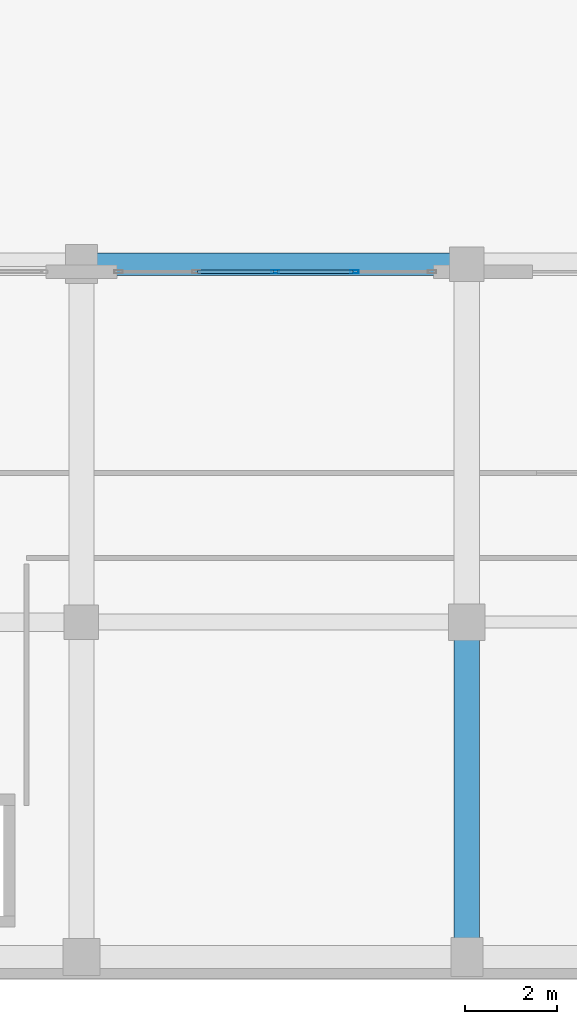
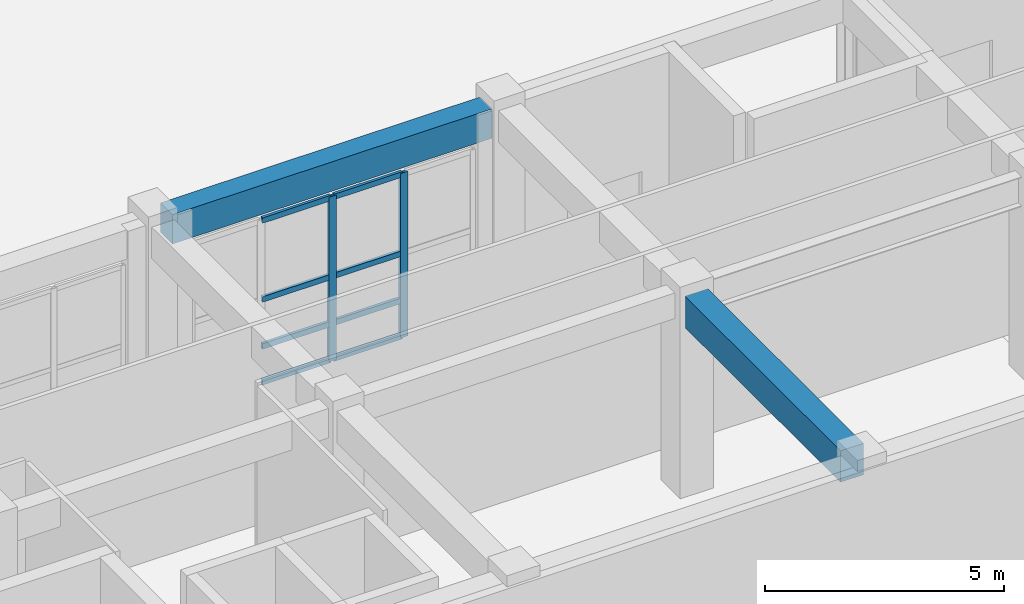
# One storey, part 23 of 148: 10 members, 2 beams, 1 element without a shape of its own.
"""IFC4 building model written with IfcOpenShell, lengths in metres."""

import ifcopenshell
import ifcopenshell.guid

model = None  # the IFC model being written
_history = None  # IfcOwnerHistory: only IFC2X3 demands one
_inside = {}  # id of a spatial element -> (the spatial element, [elements in it])
_under = {}  # id of a project, library or spatial element -> (it, [spatial elements below it])
_declared = {}  # id of a project -> (the project, [libraries it declares])
_typed = {}  # id of a type object -> (the type object, [elements of that type])
_made_of = {}  # id of a material, layer set ... -> (it, [elements and type objects made of it])


def new_model(schema):
    """Start an empty IFC model of exactly this schema.

    Asked for "IFC4X3", IfcOpenShell would pick the latest addendum, in which some entities
    have other attributes; the version numbers below select the first issue.
    IFC2X3 requires an IfcOwnerHistory on every rooted entity: one is made here for all.
    """
    global model, _history
    if schema == "IFC4X3":
        model = ifcopenshell.file(schema_version=(4, 3, 0, 0))
    else:
        model = ifcopenshell.file(schema=schema)
    _inside.clear()
    _under.clear()
    _declared.clear()
    _typed.clear()
    _made_of.clear()
    _history = None
    if model.schema == "IFC2X3":
        org = make("IfcOrganization", Name="unknown")
        user = make(
            "IfcPersonAndOrganization",
            ThePerson=make("IfcPerson", FamilyName="unknown"),
            TheOrganization=org,
        )
        app = make(
            "IfcApplication",
            ApplicationDeveloper=org,
            Version="unknown",
            ApplicationFullName="unknown",
            ApplicationIdentifier="unknown",
        )
        _history = make(
            "IfcOwnerHistory",
            OwningUser=user,
            OwningApplication=app,
            ChangeAction="ADDED",
            CreationDate=0,
        )
    return model


def make(cls, **values):
    """One entity of the class cls with the attributes given. An attribute that is None is left unset."""
    return model.create_entity(
        cls, **{name: value for name, value in values.items() if value is not None}
    )


def rooted(cls, **values):
    """An entity with a GlobalId (a new one), such as an element, a storey or a relation."""
    return make(cls, GlobalId=ifcopenshell.guid.new(), OwnerHistory=_history, **values)


def si_unit(unit_type, name, prefix=None):
    """IfcSIUnit, for example si_unit("LENGTHUNIT", "METRE", prefix="MILLI")."""
    return make("IfcSIUnit", UnitType=unit_type, Prefix=prefix, Name=name)


def assignment(units):
    """IfcUnitAssignment: the units of a project."""
    return None if units is None else make("IfcUnitAssignment", Units=units)


def point(xyz):
    """IfcCartesianPoint."""
    return None if xyz is None else make("IfcCartesianPoint", Coordinates=xyz)


def direction(xyz):
    """IfcDirection."""
    return None if xyz is None else make("IfcDirection", DirectionRatios=xyz)


def frame(location, z_axis=None, x_axis=None):
    """IfcAxis2Placement3D, a coordinate frame: its origin and axes. An axis left out is left unset."""
    return make(
        "IfcAxis2Placement3D",
        Location=point(location),
        Axis=direction(z_axis),
        RefDirection=direction(x_axis),
    )


def frame_2d(location, x_axis=None):
    """IfcAxis2Placement2D, a coordinate frame in the plane: its origin and x axis."""
    return make(
        "IfcAxis2Placement2D", Location=point(location), RefDirection=direction(x_axis)
    )


def origin():
    """The frame at (0, 0, 0) with its axes left unset."""
    return frame((0.0, 0.0, 0.0))


def origin_2d():
    """The frame at (0, 0) in the plane with its x axis left unset."""
    return frame_2d((0.0, 0.0))


def place(relative_to, where):
    """IfcLocalPlacement: puts the frame where relative to a parent placement (None: the world)."""
    return make(
        "IfcLocalPlacement", PlacementRelTo=relative_to, RelativePlacement=where
    )


def context(
    kind, dimensions, precision=None, world=None, true_north=None, identifier=None
):
    """IfcGeometricRepresentationContext, for example the 3D "Model" context."""
    return make(
        "IfcGeometricRepresentationContext",
        ContextIdentifier=identifier,
        ContextType=kind,
        CoordinateSpaceDimension=dimensions,
        Precision=precision,
        WorldCoordinateSystem=world,
        TrueNorth=true_north,
    )


def subcontext(parent, identifier, kind, view, scale=None):
    """IfcGeometricRepresentationSubContext, for example "Body" below "Model"."""
    return make(
        "IfcGeometricRepresentationSubContext",
        ContextIdentifier=identifier,
        ContextType=kind,
        ParentContext=parent,
        TargetScale=scale,
        TargetView=view,
    )


def project(units=None, contexts=None):
    """IfcProject with its units and contexts."""
    return rooted(
        "IfcProject",
        Name="project",
        RepresentationContexts=contexts,
        UnitsInContext=assignment(units),
    )


def spatial(cls, under=None, at=None, **own):
    """A site, building, storey or space (cls), placed at a placement, below another one or the project."""
    s = rooted(cls, ObjectPlacement=at, **own)
    if under is not None:
        _under.setdefault(under.id(), (under, []))[1].append(s)
    return s


def profile(cls, at=None, kind="AREA", **sizes):
    """A parametric profile (cls). Its sizes go by their IFC names, for example OverallWidth=200.0."""
    return make(cls, ProfileType=kind, Position=at, **sizes)


def rectangle(**sizes):
    """IfcRectangleProfileDef."""
    return profile("IfcRectangleProfileDef", **sizes)


def hollow_rectangle(**sizes):
    """IfcRectangleHollowProfileDef."""
    return profile("IfcRectangleHollowProfileDef", **sizes)


def extrude(swept, where, along, depth):
    """IfcExtrudedAreaSolid: the profile swept, set in the frame where, extruded along a direction by depth."""
    return make(
        "IfcExtrudedAreaSolid",
        SweptArea=swept,
        Position=where,
        ExtrudedDirection=direction(along),
        Depth=depth,
    )


def shape(context_of_items, identifier, shape_type, items):
    """IfcShapeRepresentation: the items that make up one representation, for example the "Body"."""
    return make(
        "IfcShapeRepresentation",
        ContextOfItems=context_of_items,
        RepresentationIdentifier=identifier,
        RepresentationType=shape_type,
        Items=items,
    )


def material(Name=None, Category=None):
    """IfcMaterial."""
    return make("IfcMaterial", Name=Name, Category=Category)


def layer(
    of_material, thickness, ventilated=None, Name=None, Category=None, Priority=None
):
    """IfcMaterialLayer: one layer of a wall or slab, of a material (None: an air gap)."""
    return make(
        "IfcMaterialLayer",
        Material=of_material,
        LayerThickness=thickness,
        IsVentilated=ventilated,
        Name=Name,
        Category=Category,
        Priority=Priority,
    )


def layer_set(layers, Name=None):
    """IfcMaterialLayerSet."""
    return make("IfcMaterialLayerSet", MaterialLayers=layers, LayerSetName=Name)


def material_profile(
    of_material, cross_section, Name=None, Category=None, Priority=None
):
    """IfcMaterialProfile: a cross section and its material."""
    return make(
        "IfcMaterialProfile",
        Name=Name,
        Material=of_material,
        Profile=cross_section,
        Priority=Priority,
        Category=Category,
    )


def profile_set(profiles, Name=None, composite=None):
    """IfcMaterialProfileSet."""
    return make(
        "IfcMaterialProfileSet",
        Name=Name,
        MaterialProfiles=profiles,
        CompositeProfile=composite,
    )


def made_of(thing, what):
    """Note that an element or type object is made of a material, layer set ...; save() writes the relation."""
    if what is not None:
        _made_of.setdefault(what.id(), (what, []))[1].append(thing)
    return thing


def type_object(cls, material=None, **own):
    """A type object (cls), such as IfcWallType, which elements share."""
    return made_of(rooted(cls, **own), material)


def element(
    cls,
    number,
    at=None,
    inside=None,
    cuts=None,
    type_object=None,
    material=None,
    context=None,
    identifier="Body",
    shape_type=None,
    held_by="IfcProductDefinitionShape",
    body=None,
    shapes=None,
    **own,
):
    """One element of the class cls, such as IfcWall. Its Tag is "e" and its number.

    at: its placement. inside: the storey or other place that contains it. cuts: it is an
    opening in that element (IfcRelVoidsElement). A single representation is given by context,
    identifier, shape_type and body (its items); several are given by shapes. held_by: the class
    of the entity that holds the representations. save() writes the other relations.
    """
    e = rooted(cls, Tag="e%d" % number, ObjectPlacement=at, **own)
    if body is not None:
        shapes = [shape(context, identifier, shape_type, body)]
    if shapes is not None:
        e.Representation = make(held_by, Representations=shapes)
    if inside is not None:
        _inside.setdefault(inside.id(), (inside, []))[1].append(e)
    if cuts is not None:
        rooted(
            "IfcRelVoidsElement", RelatingBuildingElement=cuts, RelatedOpeningElement=e
        )
    if type_object is not None:
        _typed.setdefault(type_object.id(), (type_object, []))[1].append(e)
    return made_of(e, material)


def aggregate(whole, parts):
    """IfcRelAggregates: a whole, such as a stair, and the parts it consists of."""
    return rooted("IfcRelAggregates", RelatingObject=whole, RelatedObjects=parts)


def save(model, path):
    """Write the relations noted so far, then the file.

    IfcRelAggregates (storeys below a building ...), IfcRelContainedInSpatialStructure (elements
    in a storey), IfcRelDefinesByType, IfcRelAssociatesMaterial and IfcRelDeclares: one each for
    every whole, place, type object, material and project.
    """
    for whole, parts in _under.values():
        aggregate(whole, parts)
    for where, things in _inside.values():
        rooted(
            "IfcRelContainedInSpatialStructure",
            RelatedElements=things,
            RelatingStructure=where,
        )
    for kind, things in _typed.values():
        rooted("IfcRelDefinesByType", RelatedObjects=things, RelatingType=kind)
    for what, things in _made_of.values():
        rooted("IfcRelAssociatesMaterial", RelatedObjects=things, RelatingMaterial=what)
    for by, libraries in _declared.values():
        rooted("IfcRelDeclares", RelatingContext=by, RelatedDefinitions=libraries)
    model.write(path)


model = new_model("IFC4")

# Units and contexts
model_context = context("Model", 3, precision=1e-05, world=origin(), true_north=direction((0.0, 1.0)))
body_context = subcontext(model_context, "Body", "Model", "MODEL_VIEW")
ifc_project = project(units=[si_unit("LENGTHUNIT", "METRE"), si_unit("AREAUNIT", "SQUARE_METRE"), si_unit("VOLUMEUNIT", "CUBIC_METRE"), si_unit("PLANEANGLEUNIT", "RADIAN"), si_unit("MASSUNIT", "GRAM", prefix="KILO")], contexts=[model_context])

# Site, building, storey
site_placement = place(None, origin())
site = spatial("IfcSite", under=ifc_project, at=site_placement, CompositionType="ELEMENT")
building_placement = place(site_placement, origin())
building = spatial("IfcBuilding", under=site, at=building_placement, Name="Quendrovan Civic Courthouse", CompositionType="ELEMENT")
storey_placement = place(building_placement, origin())
storey = spatial("IfcBuildingStorey", under=building, at=storey_placement, Name="L01", CompositionType="ELEMENT", Elevation=0.0)

# Beams
ifc_material_1 = material(Name="Concrete C40/50", Category="concrete")
ifc_material_profile_1 = material_profile(ifc_material_1, rectangle(XDim=0.5, YDim=0.75, at=origin_2d()), Name="RC-BM-500x750")
ifc_profile_set_1 = profile_set([ifc_material_profile_1], Name="Concrete C40/50")
beam_type_1 = type_object("IfcBeamType", Name="BM-RC750", PredefinedType="SPANDREL", material=ifc_profile_set_1)
beam_1_placement = place(storey_placement, frame((42.330078125, 15.60009765625, 4.7451171875), z_axis=(1.0, 0.0, 0.0), x_axis=(0.0, 1.0, 0.0)))
element("IfcBeam", 1, at=beam_1_placement, inside=storey, type_object=beam_type_1, Name="L01 Girder X0270", PredefinedType="SPANDREL", context=body_context, shape_type="SweptSolid", body=[
    extrude(rectangle(XDim=0.5, YDim=0.75, at=origin_2d()), origin(), (0.0, 0.0, 1.0), 7.71484375),
])
ifc_material_profile_2 = material_profile(ifc_material_1, rectangle(XDim=0.550048828125, YDim=0.800048828125, at=origin_2d()), Name="RC-BM-550x800")
ifc_profile_set_2 = profile_set([ifc_material_profile_2], Name="Concrete C40/50")
beam_type_2 = type_object("IfcBeamType", Name="BM-RC800", PredefinedType="BEAM", material=ifc_profile_set_2)
beam_2_placement = place(storey_placement, frame((50.39990234375, 0.905029296875, 4.719970703125), z_axis=(0.0, 1.0, 0.0), x_axis=(-1.0, 0.0, 0.0)))
element("IfcBeam", 2, at=beam_2_placement, inside=storey, type_object=beam_type_2, Name="L01 Girder Y0415", PredefinedType="BEAM", context=body_context, shape_type="SweptSolid", body=[
    extrude(rectangle(XDim=0.550048828125, YDim=0.800048828125, at=origin_2d()), origin(), (0.0, 0.0, 1.0), 6.514892578125),
])

# Curtain wall, members
ifc_material_2 = material(Name="Bronze anodised aluminium and low-E glass", Category="aluminium")
ifc_layer = layer(ifc_material_2, 0.179931640625, Name="Bronze anodised aluminium and low-E glass")
ifc_layer_set = layer_set([ifc_layer], Name="Bronze anodised aluminium and low-E glass")
curtain_wall_type = type_object("IfcCurtainWallType", Name="CW-U69x42", PredefinedType="USERDEFINED", material=ifc_layer_set)
curtain_wall_placement = place(storey_placement, origin())
curtain_wall = element("IfcCurtainWall", 3, at=curtain_wall_placement, inside=storey, type_object=curtain_wall_type, Name="L01 Unitised Hurricane Curtain Wall CW-008", ObjectType="UNITISED CURTAIN WALL", PredefinedType="USERDEFINED")
ifc_material_3 = material(Name="Bronze anodised aluminium", Category="aluminium")
ifc_material_profile_3 = material_profile(ifc_material_3, hollow_rectangle(XDim=0.070068359375, YDim=0.179931640625, WallThickness=0.00390625, at=origin_2d()), Name="CW-MULL-70x180")
ifc_profile_set_3 = profile_set([ifc_material_profile_3], Name="Bronze anodised aluminium")
member_type_1 = type_object("IfcMemberType", Name="CW-MULL-A", PredefinedType="MULLION", material=ifc_profile_set_3)
member_1_placement = place(storey_placement, frame((46.22509765625, 15.43505859375, 0.0), z_axis=(0.0, 0.0, 1.0), x_axis=(0.0, 1.0, 0.0)))
member_1 = element("IfcMember", 4, at=member_1_placement, type_object=member_type_1, Name="CW-008 mullion 3", PredefinedType="MULLION", context=body_context, shape_type="SweptSolid", body=[
    extrude(hollow_rectangle(XDim=0.070068359375, YDim=0.179931640625, WallThickness=0.00390625, at=origin_2d()), origin(), (0.0, 0.0, 1.0), 4.199951171875),
])
member_2_placement = place(storey_placement, frame((47.949951171875, 15.43505859375, 0.0), z_axis=(0.0, 0.0, 1.0), x_axis=(0.0, 1.0, 0.0)))
member_2 = element("IfcMember", 5, at=member_2_placement, type_object=member_type_1, Name="CW-008 mullion 4", PredefinedType="MULLION", context=body_context, shape_type="SweptSolid", body=[
    extrude(hollow_rectangle(XDim=0.070068359375, YDim=0.179931640625, WallThickness=0.00390625, at=origin_2d()), origin(), (0.0, 0.0, 1.0), 4.199951171875),
])
ifc_material_profile_4 = material_profile(ifc_material_3, hollow_rectangle(XDim=0.070068359375, YDim=0.139892578125, WallThickness=0.00390625, at=origin_2d()), Name="CW-TRAN-70x140")
ifc_profile_set_4 = profile_set([ifc_material_profile_4], Name="Bronze anodised aluminium")
member_type_2 = type_object("IfcMemberType", Name="CW-TRAN-A", PredefinedType="USERDEFINED", material=ifc_profile_set_4)
member_3_placement = place(storey_placement, frame((44.534912109375, 15.43505859375, 0.034912109375), z_axis=(1.0, 0.0, 0.0), x_axis=(0.0, 1.0, 0.0)))
member_3 = element("IfcMember", 6, at=member_3_placement, type_object=member_type_2, Name="CW-008 transom 2.1", ObjectType="TRANSOM", PredefinedType="USERDEFINED", context=body_context, shape_type="SweptSolid", body=[
    extrude(hollow_rectangle(XDim=0.070068359375, YDim=0.139892578125, WallThickness=0.00390625, at=origin_2d()), origin(), (0.0, 0.0, 1.0), 1.655029296875),
])
member_4_placement = place(storey_placement, frame((44.534912109375, 15.43505859375, 0.949951171875), z_axis=(1.0, 0.0, 0.0), x_axis=(0.0, 1.0, 0.0)))
member_4 = element("IfcMember", 7, at=member_4_placement, type_object=member_type_2, Name="CW-008 transom 2.2", ObjectType="TRANSOM", PredefinedType="USERDEFINED", context=body_context, shape_type="SweptSolid", body=[
    extrude(hollow_rectangle(XDim=0.070068359375, YDim=0.139892578125, WallThickness=0.00390625, at=origin_2d()), origin(), (0.0, 0.0, 1.0), 1.655029296875),
])
member_5_placement = place(storey_placement, frame((44.534912109375, 15.43505859375, 2.14990234375), z_axis=(1.0, 0.0, 0.0), x_axis=(0.0, 1.0, 0.0)))
member_5 = element("IfcMember", 8, at=member_5_placement, type_object=member_type_2, Name="CW-008 transom 2.3", ObjectType="TRANSOM", PredefinedType="USERDEFINED", context=body_context, shape_type="SweptSolid", body=[
    extrude(hollow_rectangle(XDim=0.070068359375, YDim=0.139892578125, WallThickness=0.00390625, at=origin_2d()), origin(), (0.0, 0.0, 1.0), 1.655029296875),
])
member_6_placement = place(storey_placement, frame((44.534912109375, 15.43505859375, 4.1650390625), z_axis=(1.0, 0.0, 0.0), x_axis=(0.0, 1.0, 0.0)))
member_6 = element("IfcMember", 9, at=member_6_placement, type_object=member_type_2, Name="CW-008 transom 2.4", ObjectType="TRANSOM", PredefinedType="USERDEFINED", context=body_context, shape_type="SweptSolid", body=[
    extrude(hollow_rectangle(XDim=0.070068359375, YDim=0.139892578125, WallThickness=0.00390625, at=origin_2d()), origin(), (0.0, 0.0, 1.0), 1.655029296875),
])
member_7_placement = place(storey_placement, frame((46.260009765625, 15.43505859375, 0.034912109375), z_axis=(1.0, 0.0, 0.0), x_axis=(0.0, 1.0, 0.0)))
member_7 = element("IfcMember", 10, at=member_7_placement, type_object=member_type_2, Name="CW-008 transom 3.1", ObjectType="TRANSOM", PredefinedType="USERDEFINED", context=body_context, shape_type="SweptSolid", body=[
    extrude(hollow_rectangle(XDim=0.070068359375, YDim=0.139892578125, WallThickness=0.00390625, at=origin_2d()), origin(), (0.0, 0.0, 1.0), 1.655029296875),
])
member_8_placement = place(storey_placement, frame((46.260009765625, 15.43505859375, 0.949951171875), z_axis=(1.0, 0.0, 0.0), x_axis=(0.0, 1.0, 0.0)))
member_8 = element("IfcMember", 11, at=member_8_placement, type_object=member_type_2, Name="CW-008 transom 3.2", ObjectType="TRANSOM", PredefinedType="USERDEFINED", context=body_context, shape_type="SweptSolid", body=[
    extrude(hollow_rectangle(XDim=0.070068359375, YDim=0.139892578125, WallThickness=0.00390625, at=origin_2d()), origin(), (0.0, 0.0, 1.0), 1.655029296875),
])
member_9_placement = place(storey_placement, frame((46.260009765625, 15.43505859375, 2.14990234375), z_axis=(1.0, 0.0, 0.0), x_axis=(0.0, 1.0, 0.0)))
member_9 = element("IfcMember", 12, at=member_9_placement, type_object=member_type_2, Name="CW-008 transom 3.3", ObjectType="TRANSOM", PredefinedType="USERDEFINED", context=body_context, shape_type="SweptSolid", body=[
    extrude(hollow_rectangle(XDim=0.070068359375, YDim=0.139892578125, WallThickness=0.00390625, at=origin_2d()), origin(), (0.0, 0.0, 1.0), 1.655029296875),
])
member_10_placement = place(storey_placement, frame((46.260009765625, 15.43505859375, 4.1650390625), z_axis=(1.0, 0.0, 0.0), x_axis=(0.0, 1.0, 0.0)))
member_10 = element("IfcMember", 13, at=member_10_placement, type_object=member_type_2, Name="CW-008 transom 3.4", ObjectType="TRANSOM", PredefinedType="USERDEFINED", context=body_context, shape_type="SweptSolid", body=[
    extrude(hollow_rectangle(XDim=0.070068359375, YDim=0.139892578125, WallThickness=0.00390625, at=origin_2d()), origin(), (0.0, 0.0, 1.0), 1.655029296875),
])
aggregate(curtain_wall, [member_1, member_2, member_3, member_4, member_5, member_6, member_7, member_8, member_9, member_10])

save(model, "model.ifc")
